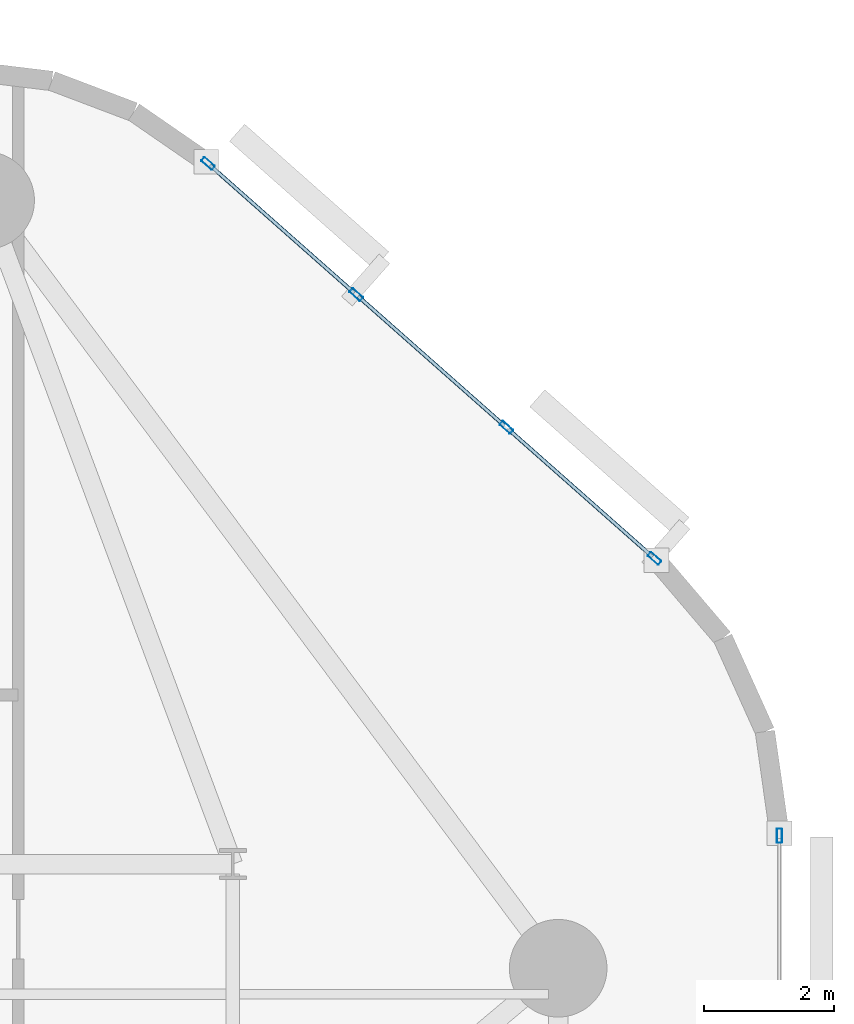
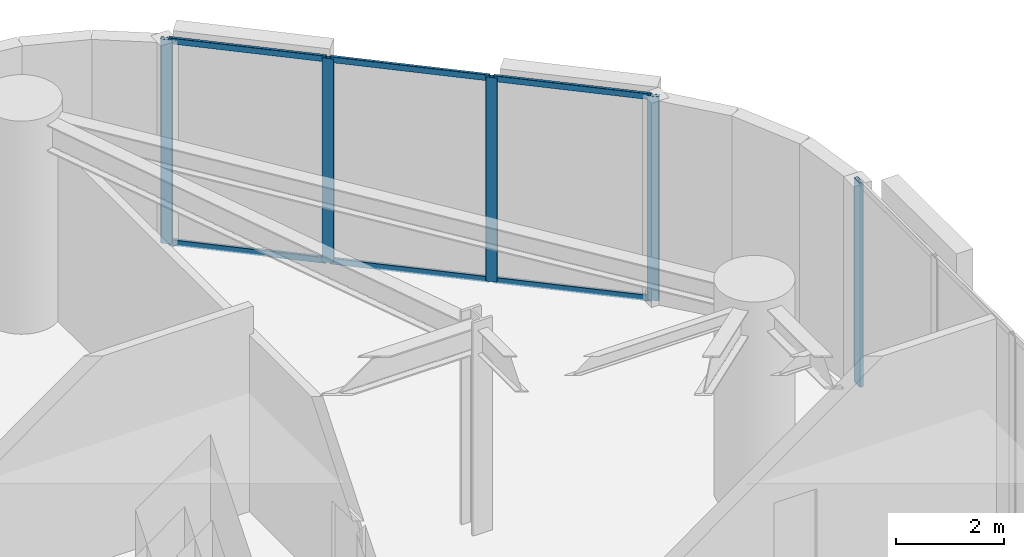
# One storey, part 7 of 13: 11 members, 2 elements without a shape of their own.
"""IFC4 building model written with IfcOpenShell, lengths in metres."""

from ifc_helpers import new_model, si_unit, direction, frame, origin, origin_2d, place, context, subcontext, project, spatial, hollow_rectangle, extrude, material, layer, layer_set, material_profile, profile_set, type_object, element, aggregate, save


model = new_model("IFC4")

# Units and contexts
model_context = context("Model", 3, precision=1e-05, world=origin(), true_north=direction((0.0, 1.0)))
body_context = subcontext(model_context, "Body", "Model", "MODEL_VIEW")
ifc_project = project(units=[si_unit("LENGTHUNIT", "METRE"), si_unit("AREAUNIT", "SQUARE_METRE"), si_unit("VOLUMEUNIT", "CUBIC_METRE"), si_unit("PLANEANGLEUNIT", "RADIAN"), si_unit("MASSUNIT", "GRAM", prefix="KILO")], contexts=[model_context])

# Site, building, storey
site_placement = place(None, origin())
site = spatial("IfcSite", under=ifc_project, at=site_placement, CompositionType="ELEMENT")
building_placement = place(site_placement, origin())
building = spatial("IfcBuilding", under=site, at=building_placement, Name="An Khanh Terracotta Commons", CompositionType="ELEMENT")
storey_placement = place(building_placement, frame((0.0, 0.0, 24.0)))
storey = spatial("IfcBuildingStorey", under=building, at=storey_placement, Name="L06", CompositionType="ELEMENT", Elevation=24.0)

# Curtain wall, member
ifc_material = material(Name="Anodised Aluminium 6063-T6", Category="aluminium")
ifc_layer = layer(ifc_material, 0.239990234375, Name="Anodised Aluminium 6063-T6")
ifc_layer_set = layer_set([ifc_layer], Name="Anodised Aluminium 6063-T6")
curtain_wall_type = type_object("IfcCurtainWallType", Name="CW-SYS-04", PredefinedType="USERDEFINED", material=ifc_layer_set)
curtain_wall_1_placement = place(storey_placement, origin())
curtain_wall_1 = element("IfcCurtainWall", 1, at=curtain_wall_1_placement, inside=storey, type_object=curtain_wall_type, Name="L06 CW-04 Unitised Curtain Wall CW-L06-12", ObjectType="UNITISED CURTAIN WALL", PredefinedType="USERDEFINED")
ifc_material_profile_1 = material_profile(ifc_material, hollow_rectangle(XDim=0.080078125, YDim=0.219970703125, WallThickness=0.0048828125, InnerFilletRadius=0.0048828125, OuterFilletRadius=0.010009765625, at=origin_2d()), Name="RHS220x80x5")
ifc_profile_set_1 = profile_set([ifc_material_profile_1], Name="Anodised Aluminium 6063-T6")
member_type_1 = type_object("IfcMemberType", Name="CWM-RHS220x80x5", PredefinedType="MULLION", material=ifc_profile_set_1)
member_1_placement = place(storey_placement, frame((51.60009765625, 34.037109375, 0.0), z_axis=(0.0, 0.0, 1.0), x_axis=(-1.0, 0.0, 0.0)))
member_1 = element("IfcMember", 2, at=member_1_placement, type_object=member_type_1, Name="CW-04 mullion 8", PredefinedType="MULLION", context=body_context, shape_type="SweptSolid", body=[
    extrude(hollow_rectangle(XDim=0.080078125, YDim=0.219970703125, WallThickness=0.0048828125, InnerFilletRadius=0.0048828125, OuterFilletRadius=0.010009765625, at=origin_2d()), origin(), (0.0, 0.0, 1.0), 4.60009765625),
])
aggregate(curtain_wall_1, [member_1])

# Curtain wall, members
curtain_wall_2_placement = place(storey_placement, origin())
curtain_wall_2 = element("IfcCurtainWall", 3, at=curtain_wall_2_placement, inside=storey, type_object=curtain_wall_type, Name="L06 CW-04 Unitised Curtain Wall CW-L06-16", ObjectType="UNITISED CURTAIN WALL", PredefinedType="USERDEFINED")
member_2_placement = place(storey_placement, frame((49.679931640625, 38.298583984375, 0.0), z_axis=(0.0, 0.0, 1.0), x_axis=(-0.662548195415, -0.749019284633, 0.0)))
member_2 = element("IfcMember", 4, at=member_2_placement, type_object=member_type_1, Name="CW-04 mullion 1", PredefinedType="MULLION", context=body_context, shape_type="SweptSolid", body=[
    extrude(hollow_rectangle(XDim=0.080078125, YDim=0.219970703125, WallThickness=0.0048828125, InnerFilletRadius=0.0048828125, OuterFilletRadius=0.010009765625, at=origin_2d()), origin(), (0.0, 0.0, 1.0), 4.60009765625),
])
member_3_placement = place(storey_placement, frame((47.403076171875, 40.312744140625, 0.0), z_axis=(0.0, 0.0, 1.0), x_axis=(-0.662548195415, -0.749019284633, 0.0)))
member_3 = element("IfcMember", 5, at=member_3_placement, type_object=member_type_1, Name="CW-04 mullion 2", PredefinedType="MULLION", context=body_context, shape_type="SweptSolid", body=[
    extrude(hollow_rectangle(XDim=0.080078125, YDim=0.219970703125, WallThickness=0.0048828125, InnerFilletRadius=0.0048828125, OuterFilletRadius=0.010009765625, at=origin_2d()), origin(), (0.0, 0.0, 1.0), 4.60009765625),
])
member_4_placement = place(storey_placement, frame((45.095947265625, 42.353271484375, 0.0), z_axis=(0.0, 0.0, 1.0), x_axis=(-0.662548195415, -0.749019284633, 0.0)))
member_4 = element("IfcMember", 6, at=member_4_placement, type_object=member_type_1, Name="CW-04 mullion 3", PredefinedType="MULLION", context=body_context, shape_type="SweptSolid", body=[
    extrude(hollow_rectangle(XDim=0.080078125, YDim=0.219970703125, WallThickness=0.0048828125, InnerFilletRadius=0.0048828125, OuterFilletRadius=0.010009765625, at=origin_2d()), origin(), (0.0, 0.0, 1.0), 4.60009765625),
])
member_5_placement = place(storey_placement, frame((42.81884765625, 44.367431640625, 0.0), z_axis=(0.0, 0.0, 1.0), x_axis=(-0.662548195415, -0.749019284633, 0.0)))
member_5 = element("IfcMember", 7, at=member_5_placement, type_object=member_type_1, Name="CW-04 mullion 4", PredefinedType="MULLION", context=body_context, shape_type="SweptSolid", body=[
    extrude(hollow_rectangle(XDim=0.080078125, YDim=0.219970703125, WallThickness=0.0048828125, InnerFilletRadius=0.0048828125, OuterFilletRadius=0.010009765625, at=origin_2d()), origin(), (0.0, 0.0, 1.0), 4.60009765625),
])
ifc_material_profile_2 = material_profile(ifc_material, hollow_rectangle(XDim=0.06005859375, YDim=0.135009765625, WallThickness=0.003662109375, InnerFilletRadius=0.003662109375, OuterFilletRadius=0.007080078125, at=origin_2d()), Name="RHS135x60x3.6")
ifc_profile_set_2 = profile_set([ifc_material_profile_2], Name="Anodised Aluminium 6063-T6")
member_type_2 = type_object("IfcMemberType", Name="CWT-RHS135x60x3.6", PredefinedType="USERDEFINED", material=ifc_profile_set_2)
member_6_placement = place(storey_placement, frame((49.650146484375, 38.324951171875, 0.030029296875), z_axis=(-0.749040638917, 0.662524053338, 0.0), x_axis=(-0.662524053338, -0.749040638917, 0.0)))
member_6 = element("IfcMember", 8, at=member_6_placement, type_object=member_type_2, Name="CW-04 transom 1.1", ObjectType="TRANSOM", PredefinedType="USERDEFINED", context=body_context, shape_type="SweptSolid", body=[
    extrude(hollow_rectangle(XDim=0.06005859375, YDim=0.135009765625, WallThickness=0.003662109375, InnerFilletRadius=0.003662109375, OuterFilletRadius=0.007080078125, at=origin_2d()), origin(), (0.0, 0.0, 1.0), 2.960205078125),
])
member_7_placement = place(storey_placement, frame((49.650146484375, 38.324951171875, 4.570068359375), z_axis=(-0.749040638917, 0.662524053338, 0.0), x_axis=(-0.662524053338, -0.749040638917, 0.0)))
member_7 = element("IfcMember", 9, at=member_7_placement, type_object=member_type_2, Name="CW-04 transom 1.2", ObjectType="TRANSOM", PredefinedType="USERDEFINED", context=body_context, shape_type="SweptSolid", body=[
    extrude(hollow_rectangle(XDim=0.06005859375, YDim=0.135009765625, WallThickness=0.003662109375, InnerFilletRadius=0.003662109375, OuterFilletRadius=0.007080078125, at=origin_2d()), origin(), (0.0, 0.0, 1.0), 2.960205078125),
])
member_8_placement = place(storey_placement, frame((47.373046875, 40.339111328125, 0.030029296875), z_axis=(-0.74899656249, 0.662573882203, 0.0), x_axis=(-0.662573882203, -0.74899656249, 0.0)))
member_8 = element("IfcMember", 10, at=member_8_placement, type_object=member_type_2, Name="CW-04 transom 2.1", ObjectType="TRANSOM", PredefinedType="USERDEFINED", context=body_context, shape_type="SweptSolid", body=[
    extrude(hollow_rectangle(XDim=0.06005859375, YDim=0.135009765625, WallThickness=0.003662109375, InnerFilletRadius=0.003662109375, OuterFilletRadius=0.007080078125, at=origin_2d()), origin(), (0.0, 0.0, 1.0), 3.0),
])
member_9_placement = place(storey_placement, frame((47.373046875, 40.339111328125, 4.570068359375), z_axis=(-0.74899656249, 0.662573882203, 0.0), x_axis=(-0.662573882203, -0.74899656249, 0.0)))
member_9 = element("IfcMember", 11, at=member_9_placement, type_object=member_type_2, Name="CW-04 transom 2.2", ObjectType="TRANSOM", PredefinedType="USERDEFINED", context=body_context, shape_type="SweptSolid", body=[
    extrude(hollow_rectangle(XDim=0.06005859375, YDim=0.135009765625, WallThickness=0.003662109375, InnerFilletRadius=0.003662109375, OuterFilletRadius=0.007080078125, at=origin_2d()), origin(), (0.0, 0.0, 1.0), 3.0),
])
member_10_placement = place(storey_placement, frame((45.06591796875, 42.3798828125, 0.030029296875), z_axis=(-0.74900443401, 0.662564983857, 0.0), x_axis=(-0.662564983857, -0.74900443401, 0.0)))
member_10 = element("IfcMember", 12, at=member_10_placement, type_object=member_type_2, Name="CW-04 transom 3.1", ObjectType="TRANSOM", PredefinedType="USERDEFINED", context=body_context, shape_type="SweptSolid", body=[
    extrude(hollow_rectangle(XDim=0.06005859375, YDim=0.135009765625, WallThickness=0.003662109375, InnerFilletRadius=0.003662109375, OuterFilletRadius=0.007080078125, at=origin_2d()), origin(), (0.0, 0.0, 1.0), 2.9599609375),
])
member_11_placement = place(storey_placement, frame((45.06591796875, 42.3798828125, 4.570068359375), z_axis=(-0.74900443401, 0.662564983857, 0.0), x_axis=(-0.662564983857, -0.74900443401, 0.0)))
member_11 = element("IfcMember", 13, at=member_11_placement, type_object=member_type_2, Name="CW-04 transom 3.2", ObjectType="TRANSOM", PredefinedType="USERDEFINED", context=body_context, shape_type="SweptSolid", body=[
    extrude(hollow_rectangle(XDim=0.06005859375, YDim=0.135009765625, WallThickness=0.003662109375, InnerFilletRadius=0.003662109375, OuterFilletRadius=0.007080078125, at=origin_2d()), origin(), (0.0, 0.0, 1.0), 2.9599609375),
])
aggregate(curtain_wall_2, [member_2, member_3, member_4, member_5, member_6, member_7, member_8, member_9, member_10, member_11])

save(model, "model.ifc")
